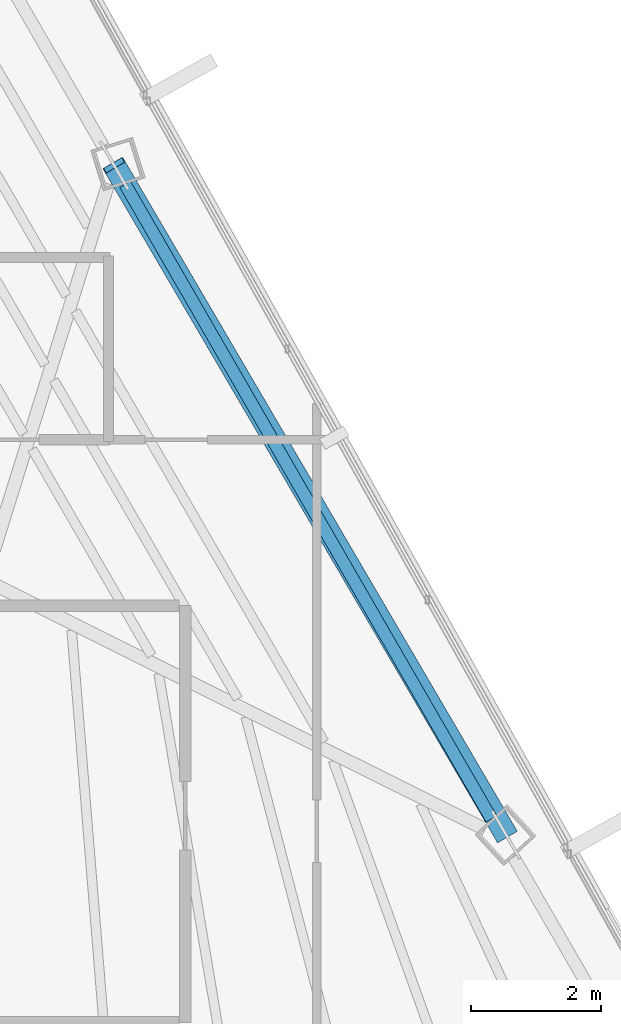
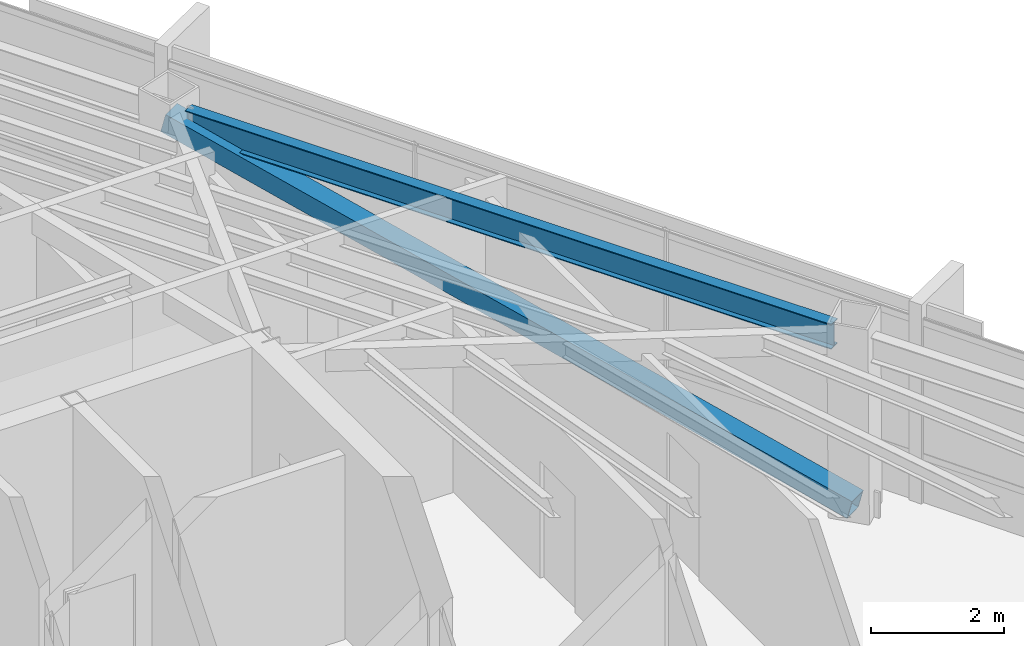
# One storey, part 27 of 45: 1 beam, 1 member.
"""IFC4 building model written with IfcOpenShell, lengths in metres."""

import ifcopenshell
import ifcopenshell.guid

model = None  # the IFC model being written
_history = None  # IfcOwnerHistory: only IFC2X3 demands one
_inside = {}  # id of a spatial element -> (the spatial element, [elements in it])
_under = {}  # id of a project, library or spatial element -> (it, [spatial elements below it])
_declared = {}  # id of a project -> (the project, [libraries it declares])
_typed = {}  # id of a type object -> (the type object, [elements of that type])
_made_of = {}  # id of a material, layer set ... -> (it, [elements and type objects made of it])


def new_model(schema):
    """Start an empty IFC model of exactly this schema.

    Asked for "IFC4X3", IfcOpenShell would pick the latest addendum, in which some entities
    have other attributes; the version numbers below select the first issue.
    IFC2X3 requires an IfcOwnerHistory on every rooted entity: one is made here for all.
    """
    global model, _history
    if schema == "IFC4X3":
        model = ifcopenshell.file(schema_version=(4, 3, 0, 0))
    else:
        model = ifcopenshell.file(schema=schema)
    _inside.clear()
    _under.clear()
    _declared.clear()
    _typed.clear()
    _made_of.clear()
    _history = None
    if model.schema == "IFC2X3":
        org = make("IfcOrganization", Name="unknown")
        user = make(
            "IfcPersonAndOrganization",
            ThePerson=make("IfcPerson", FamilyName="unknown"),
            TheOrganization=org,
        )
        app = make(
            "IfcApplication",
            ApplicationDeveloper=org,
            Version="unknown",
            ApplicationFullName="unknown",
            ApplicationIdentifier="unknown",
        )
        _history = make(
            "IfcOwnerHistory",
            OwningUser=user,
            OwningApplication=app,
            ChangeAction="ADDED",
            CreationDate=0,
        )
    return model


def make(cls, **values):
    """One entity of the class cls with the attributes given. An attribute that is None is left unset."""
    return model.create_entity(
        cls, **{name: value for name, value in values.items() if value is not None}
    )


def rooted(cls, **values):
    """An entity with a GlobalId (a new one), such as an element, a storey or a relation."""
    return make(cls, GlobalId=ifcopenshell.guid.new(), OwnerHistory=_history, **values)


def si_unit(unit_type, name, prefix=None):
    """IfcSIUnit, for example si_unit("LENGTHUNIT", "METRE", prefix="MILLI")."""
    return make("IfcSIUnit", UnitType=unit_type, Prefix=prefix, Name=name)


def assignment(units):
    """IfcUnitAssignment: the units of a project."""
    return None if units is None else make("IfcUnitAssignment", Units=units)


def point(xyz):
    """IfcCartesianPoint."""
    return None if xyz is None else make("IfcCartesianPoint", Coordinates=xyz)


def direction(xyz):
    """IfcDirection."""
    return None if xyz is None else make("IfcDirection", DirectionRatios=xyz)


def frame(location, z_axis=None, x_axis=None):
    """IfcAxis2Placement3D, a coordinate frame: its origin and axes. An axis left out is left unset."""
    return make(
        "IfcAxis2Placement3D",
        Location=point(location),
        Axis=direction(z_axis),
        RefDirection=direction(x_axis),
    )


def frame_2d(location, x_axis=None):
    """IfcAxis2Placement2D, a coordinate frame in the plane: its origin and x axis."""
    return make(
        "IfcAxis2Placement2D", Location=point(location), RefDirection=direction(x_axis)
    )


def origin():
    """The frame at (0, 0, 0) with its axes left unset."""
    return frame((0.0, 0.0, 0.0))


def origin_2d():
    """The frame at (0, 0) in the plane with its x axis left unset."""
    return frame_2d((0.0, 0.0))


def place(relative_to, where):
    """IfcLocalPlacement: puts the frame where relative to a parent placement (None: the world)."""
    return make(
        "IfcLocalPlacement", PlacementRelTo=relative_to, RelativePlacement=where
    )


def context(
    kind, dimensions, precision=None, world=None, true_north=None, identifier=None
):
    """IfcGeometricRepresentationContext, for example the 3D "Model" context."""
    return make(
        "IfcGeometricRepresentationContext",
        ContextIdentifier=identifier,
        ContextType=kind,
        CoordinateSpaceDimension=dimensions,
        Precision=precision,
        WorldCoordinateSystem=world,
        TrueNorth=true_north,
    )


def subcontext(parent, identifier, kind, view, scale=None):
    """IfcGeometricRepresentationSubContext, for example "Body" below "Model"."""
    return make(
        "IfcGeometricRepresentationSubContext",
        ContextIdentifier=identifier,
        ContextType=kind,
        ParentContext=parent,
        TargetScale=scale,
        TargetView=view,
    )


def project(units=None, contexts=None):
    """IfcProject with its units and contexts."""
    return rooted(
        "IfcProject",
        Name="project",
        RepresentationContexts=contexts,
        UnitsInContext=assignment(units),
    )


def spatial(cls, under=None, at=None, **own):
    """A site, building, storey or space (cls), placed at a placement, below another one or the project."""
    s = rooted(cls, ObjectPlacement=at, **own)
    if under is not None:
        _under.setdefault(under.id(), (under, []))[1].append(s)
    return s


def profile(cls, at=None, kind="AREA", **sizes):
    """A parametric profile (cls). Its sizes go by their IFC names, for example OverallWidth=200.0."""
    return make(cls, ProfileType=kind, Position=at, **sizes)


def hollow_rectangle(**sizes):
    """IfcRectangleHollowProfileDef."""
    return profile("IfcRectangleHollowProfileDef", **sizes)


def i_section(**sizes):
    """IfcIShapeProfileDef."""
    return profile("IfcIShapeProfileDef", **sizes)


def extrude(swept, where, along, depth):
    """IfcExtrudedAreaSolid: the profile swept, set in the frame where, extruded along a direction by depth."""
    return make(
        "IfcExtrudedAreaSolid",
        SweptArea=swept,
        Position=where,
        ExtrudedDirection=direction(along),
        Depth=depth,
    )


def shape(context_of_items, identifier, shape_type, items):
    """IfcShapeRepresentation: the items that make up one representation, for example the "Body"."""
    return make(
        "IfcShapeRepresentation",
        ContextOfItems=context_of_items,
        RepresentationIdentifier=identifier,
        RepresentationType=shape_type,
        Items=items,
    )


def source(mapping_origin, context_of_items, identifier, shape_type, items):
    """IfcRepresentationMap: a shape defined once, which mapped items show again and again."""
    return make(
        "IfcRepresentationMap",
        MappingOrigin=mapping_origin,
        MappedRepresentation=shape(context_of_items, identifier, shape_type, items),
    )


def transform(
    local_origin,
    x_axis=None,
    y_axis=None,
    z_axis=None,
    scale=None,
    scale2=None,
    scale3=None,
    uniform=True,
):
    """IfcCartesianTransformationOperator3D, or its non-uniform kind. x_axis, y_axis, z_axis: its Axis1, 2, 3."""
    if uniform:
        return make(
            "IfcCartesianTransformationOperator3D",
            Axis1=direction(x_axis),
            Axis2=direction(y_axis),
            LocalOrigin=point(local_origin),
            Scale=scale,
            Axis3=direction(z_axis),
        )
    return make(
        "IfcCartesianTransformationOperator3DnonUniform",
        Axis1=direction(x_axis),
        Axis2=direction(y_axis),
        LocalOrigin=point(local_origin),
        Scale=scale,
        Axis3=direction(z_axis),
        Scale2=scale2,
        Scale3=scale3,
    )


def mapped(mapping_source, mapping_target):
    """IfcMappedItem: shows the shape of a source again, moved by a transform."""
    return make(
        "IfcMappedItem", MappingSource=mapping_source, MappingTarget=mapping_target
    )


def material(Name=None, Category=None):
    """IfcMaterial."""
    return make("IfcMaterial", Name=Name, Category=Category)


def material_profile(
    of_material, cross_section, Name=None, Category=None, Priority=None
):
    """IfcMaterialProfile: a cross section and its material."""
    return make(
        "IfcMaterialProfile",
        Name=Name,
        Material=of_material,
        Profile=cross_section,
        Priority=Priority,
        Category=Category,
    )


def profile_set(profiles, Name=None, composite=None):
    """IfcMaterialProfileSet."""
    return make(
        "IfcMaterialProfileSet",
        Name=Name,
        MaterialProfiles=profiles,
        CompositeProfile=composite,
    )


def made_of(thing, what):
    """Note that an element or type object is made of a material, layer set ...; save() writes the relation."""
    if what is not None:
        _made_of.setdefault(what.id(), (what, []))[1].append(thing)
    return thing


def type_object(cls, material=None, **own):
    """A type object (cls), such as IfcWallType, which elements share."""
    return made_of(rooted(cls, **own), material)


def type_shapes(of_type, sources):
    """Give a type object the sources (RepresentationMaps) that its elements show as mapped items."""
    of_type.RepresentationMaps = sources


def element(
    cls,
    number,
    at=None,
    inside=None,
    cuts=None,
    type_object=None,
    material=None,
    context=None,
    identifier="Body",
    shape_type=None,
    held_by="IfcProductDefinitionShape",
    body=None,
    shapes=None,
    **own,
):
    """One element of the class cls, such as IfcWall. Its Tag is "e" and its number.

    at: its placement. inside: the storey or other place that contains it. cuts: it is an
    opening in that element (IfcRelVoidsElement). A single representation is given by context,
    identifier, shape_type and body (its items); several are given by shapes. held_by: the class
    of the entity that holds the representations. save() writes the other relations.
    """
    e = rooted(cls, Tag="e%d" % number, ObjectPlacement=at, **own)
    if body is not None:
        shapes = [shape(context, identifier, shape_type, body)]
    if shapes is not None:
        e.Representation = make(held_by, Representations=shapes)
    if inside is not None:
        _inside.setdefault(inside.id(), (inside, []))[1].append(e)
    if cuts is not None:
        rooted(
            "IfcRelVoidsElement", RelatingBuildingElement=cuts, RelatedOpeningElement=e
        )
    if type_object is not None:
        _typed.setdefault(type_object.id(), (type_object, []))[1].append(e)
    return made_of(e, material)


def aggregate(whole, parts):
    """IfcRelAggregates: a whole, such as a stair, and the parts it consists of."""
    return rooted("IfcRelAggregates", RelatingObject=whole, RelatedObjects=parts)


def save(model, path):
    """Write the relations noted so far, then the file.

    IfcRelAggregates (storeys below a building ...), IfcRelContainedInSpatialStructure (elements
    in a storey), IfcRelDefinesByType, IfcRelAssociatesMaterial and IfcRelDeclares: one each for
    every whole, place, type object, material and project.
    """
    for whole, parts in _under.values():
        aggregate(whole, parts)
    for where, things in _inside.values():
        rooted(
            "IfcRelContainedInSpatialStructure",
            RelatedElements=things,
            RelatingStructure=where,
        )
    for kind, things in _typed.values():
        rooted("IfcRelDefinesByType", RelatedObjects=things, RelatingType=kind)
    for what, things in _made_of.values():
        rooted("IfcRelAssociatesMaterial", RelatedObjects=things, RelatingMaterial=what)
    for by, libraries in _declared.values():
        rooted("IfcRelDeclares", RelatingContext=by, RelatedDefinitions=libraries)
    model.write(path)


model = new_model("IFC4")

# Units and contexts
model_context = context("Model", 3, precision=1e-05, world=origin(), true_north=direction((0.0, 1.0)))
body_context = subcontext(model_context, "Body", "Model", "MODEL_VIEW")
ifc_project = project(units=[si_unit("LENGTHUNIT", "METRE"), si_unit("AREAUNIT", "SQUARE_METRE"), si_unit("VOLUMEUNIT", "CUBIC_METRE"), si_unit("PLANEANGLEUNIT", "RADIAN"), si_unit("MASSUNIT", "GRAM", prefix="KILO")], contexts=[model_context])

# Site, building, storey
site_placement = place(None, origin())
site = spatial("IfcSite", under=ifc_project, at=site_placement, CompositionType="ELEMENT")
building_placement = place(site_placement, origin())
building = spatial("IfcBuilding", under=site, at=building_placement, Name="Caelisora Broadcast Tower", CompositionType="ELEMENT")
storey_placement = place(building_placement, frame((0.0, 0.0, 266.35009765625)))
storey = spatial("IfcBuildingStorey", under=building, at=storey_placement, Name="L70", CompositionType="ELEMENT", Elevation=266.35009765625)

# Beam
ifc_material_1 = material(Name="Steel Grade 350 (AS/NZS 3679.1)", Category="steel")
ifc_material_profile_1 = material_profile(ifc_material_1, i_section(OverallWidth=0.19091796875, OverallDepth=0.46044921875, WebThickness=0.010009765625, FlangeThickness=0.01611328125, at=origin_2d()), Name="Steel Grade 350 (AS/NZS 3679.1)")
ifc_profile_set_1 = profile_set([ifc_material_profile_1], Name="Steel Grade 350 (AS/NZS 3679.1)")
beam_type = type_object("IfcBeamType", Name="PG06", PredefinedType="BEAM", material=ifc_profile_set_1)
shared_shape_1 = source(origin(), body_context, "Body", "SweptSolid", [
    extrude(i_section(OverallWidth=0.19091796875, OverallDepth=0.46044921875, WebThickness=0.010009765625, FlangeThickness=0.01611328125, at=origin_2d()), origin(), (0.0, 0.0, 1.0), 11.25537109375),
])
type_shapes(beam_type, [shared_shape_1])
beam_placement = place(storey_placement, frame((53.283447265625, 26.32568359375, 3.169677734375), z_axis=(-0.500004726013, 0.866022675202, 0.0), x_axis=(-0.866022675202, -0.500004726013, 0.0)))
element("IfcBeam", 1, at=beam_placement, inside=storey, type_object=beam_type, Name="L70 beam PG06", PredefinedType="BEAM", context=body_context, shape_type="MappedRepresentation", body=[
    mapped(shared_shape_1, transform((0.0, 0.0, 0.0), scale=1.0)),
])

# Member
ifc_material_2 = material(Name="Steel Grade 450 (AS/NZS 1163 C450L0)", Category="steel")
ifc_material_profile_2 = material_profile(ifc_material_2, hollow_rectangle(XDim=0.35009765625, YDim=0.35009765625, WallThickness=0.012451171875, at=origin_2d()), Name="Steel Grade 450 (AS/NZS 1163 C450L0)")
ifc_profile_set_2 = profile_set([ifc_material_profile_2], Name="Steel Grade 450 (AS/NZS 1163 C450L0)")
member_type = type_object("IfcMemberType", Name="BR05", PredefinedType="BRACE", material=ifc_profile_set_2)
shared_shape_2 = source(origin(), body_context, "Body", "SweptSolid", [
    extrude(hollow_rectangle(XDim=0.35009765625, YDim=0.35009765625, WallThickness=0.012451171875, at=origin_2d()), origin(), (0.0, 0.0, 1.0), 12.286865234375),
])
type_shapes(member_type, [shared_shape_2])
member_placement = place(storey_placement, frame((53.5068359375, 26.083251953125, 0.099853515625), z_axis=(-0.489951176035, 0.836859180836, 0.244160923478), x_axis=(-0.862977427058, -0.505242476824, 0.0)))
element("IfcMember", 2, at=member_placement, inside=storey, type_object=member_type, Name="L70 perimeter brace BR05", PredefinedType="BRACE", context=body_context, shape_type="MappedRepresentation", body=[
    mapped(shared_shape_2, transform((0.0, 0.0, 0.0), scale=1.0)),
])

save(model, "model.ifc")
